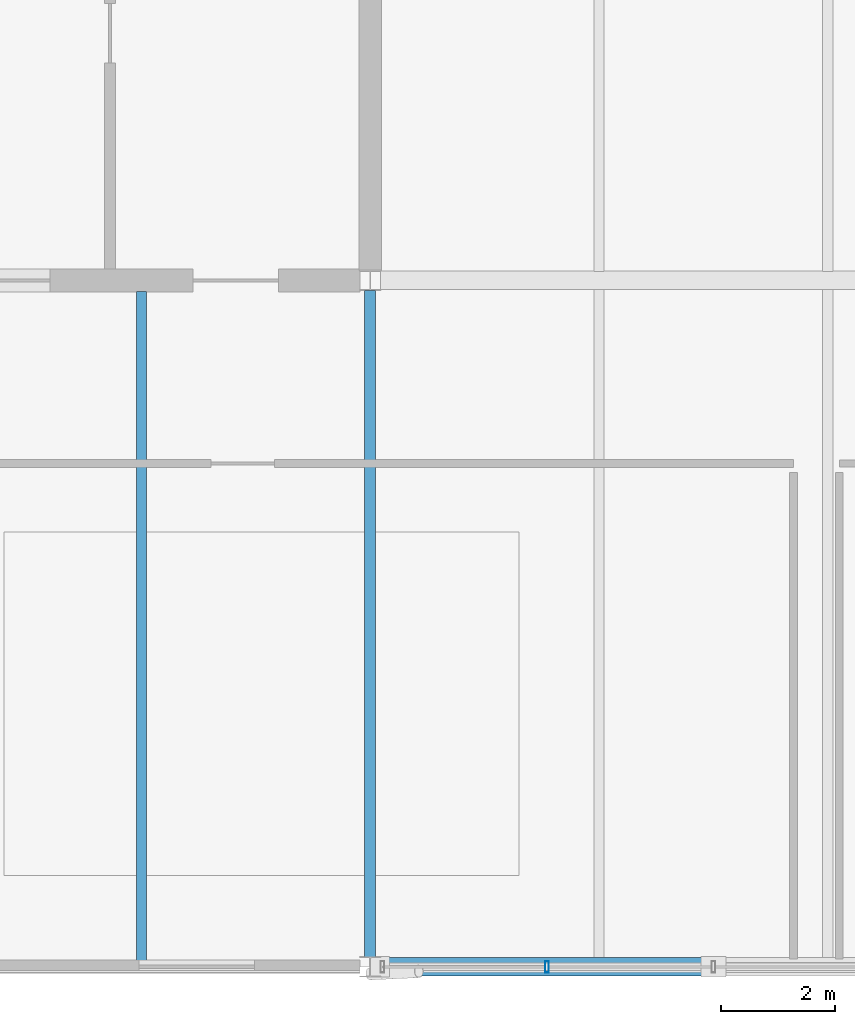
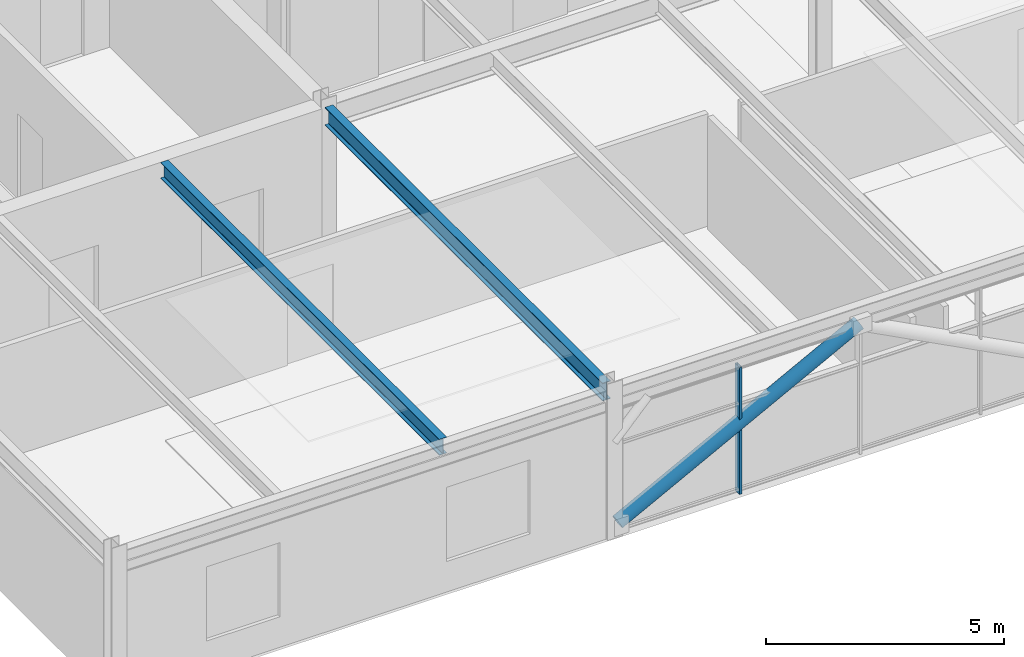
# One storey, part 4 of 23: 2 beams, 2 members, 1 element without a shape of its own.
"""IFC4 building model written with IfcOpenShell, lengths in metres."""

from ifc_helpers import new_model, si_unit, direction, frame, origin, origin_2d, place, context, subcontext, project, spatial, hollow_rectangle, hollow_circle, i_section, extrude, material, material_profile, profile_set, type_object, element, aggregate, save


model = new_model("IFC4")

# Units and contexts
model_context = context("Model", 3, precision=1e-05, world=origin(), true_north=direction((0.0, 1.0)))
body_context = subcontext(model_context, "Body", "Model", "MODEL_VIEW")
ifc_project = project(units=[si_unit("LENGTHUNIT", "METRE"), si_unit("AREAUNIT", "SQUARE_METRE"), si_unit("VOLUMEUNIT", "CUBIC_METRE"), si_unit("PLANEANGLEUNIT", "RADIAN"), si_unit("MASSUNIT", "GRAM", prefix="KILO")], contexts=[model_context])

# Site, building, storey
site_placement = place(None, origin())
site = spatial("IfcSite", under=ifc_project, at=site_placement, CompositionType="ELEMENT")
building_placement = place(site_placement, origin())
building = spatial("IfcBuilding", under=site, at=building_placement, Name="Girod Span Mobility Hub", CompositionType="ELEMENT")
storey_placement = place(building_placement, frame((0.0, 0.0, 65.60009765625)))
storey = spatial("IfcBuildingStorey", under=building, at=storey_placement, Name="L16", CompositionType="ELEMENT", Elevation=65.60009765625)

# Beams
ifc_material_1 = material(Name="Steel A992 Grade 50", Category="steel")
ifc_material_profile_1 = material_profile(ifc_material_1, i_section(OverallWidth=0.178955078125, OverallDepth=0.409912109375, WebThickness=0.0087890625, FlangeThickness=0.014404296875, FilletRadius=0.012939453125, at=origin_2d()), Name="W16X45")
ifc_profile_set_1 = profile_set([ifc_material_profile_1], Name="Steel A992 Grade 50")
beam_type_1 = type_object("IfcBeamType", Name="BM-STL-W16X45", PredefinedType="BEAM", material=ifc_profile_set_1)
beam_1_placement = place(storey_placement, frame((56.0, 45.10302734375, 3.5849609375), z_axis=(0.0, 1.0, 0.0), x_axis=(-1.0, 0.0, 0.0)))
element("IfcBeam", 1, at=beam_1_placement, inside=storey, type_object=beam_type_1, Name="Composite Floorbeam 5/D-2 L16", PredefinedType="BEAM", context=body_context, shape_type="SweptSolid", body=[
    extrude(i_section(OverallWidth=0.178955078125, OverallDepth=0.409912109375, WebThickness=0.0087890625, FlangeThickness=0.014404296875, FilletRadius=0.012939453125, at=origin_2d()), origin(), (0.0, 0.0, 1.0), 11.699951171875),
])
ifc_material_2 = material(Name="Steel A992 Grade 50", Category="steel")
ifc_material_profile_2 = material_profile(ifc_material_2, i_section(OverallWidth=0.19189453125, OverallDepth=0.462890625, WebThickness=0.010498046875, FlangeThickness=0.017578125, FilletRadius=0.013916015625, at=origin_2d()), Name="W18X60")
ifc_profile_set_2 = profile_set([ifc_material_profile_2], Name="Steel A992 Grade 50")
beam_type_2 = type_object("IfcBeamType", Name="BM-STL-W18X60", PredefinedType="BEAM", material=ifc_profile_set_2)
beam_2_placement = place(storey_placement, frame((60.0, 45.175048828125, 3.558349609375), z_axis=(0.0, 1.0, 0.0), x_axis=(-1.0, 0.0, 0.0)))
element("IfcBeam", 2, at=beam_2_placement, inside=storey, type_object=beam_type_2, Name="Tie Girder 6/D-E L16", PredefinedType="BEAM", context=body_context, shape_type="SweptSolid", body=[
    extrude(i_section(OverallWidth=0.19189453125, OverallDepth=0.462890625, WebThickness=0.010498046875, FlangeThickness=0.017578125, FilletRadius=0.013916015625, at=origin_2d()), origin(), (0.0, 0.0, 1.0), 11.64990234375),
])

# Curtain wall, member
ifc_material_3 = material(Name="Thermally Broken Anodised Aluminium", Category="aluminium")
curtain_wall_type = type_object("IfcCurtainWallType", Name="CW-1164X325", PredefinedType="USERDEFINED", material=ifc_material_3)
curtain_wall_placement = place(storey_placement, origin())
curtain_wall = element("IfcCurtainWall", 3, at=curtain_wall_placement, inside=storey, type_object=curtain_wall_type, Name="Unitised Curtain Wall CW-L16-S06 L16", ObjectType="UNITISED CURTAIN WALL", PredefinedType="USERDEFINED")
ifc_material_4 = material(Name="Thermally Broken Anodised Aluminium", Category="aluminium")
ifc_material_profile_3 = material_profile(ifc_material_4, hollow_rectangle(XDim=0.199951171875, YDim=0.06494140625, WallThickness=0.00390625, InnerFilletRadius=0.00390625, OuterFilletRadius=0.008056640625, at=origin_2d()), Name="CW-ML-65X200")
ifc_profile_set_3 = profile_set([ifc_material_profile_3], Name="Thermally Broken Anodised Aluminium")
member_type_1 = type_object("IfcMemberType", Name="CWM-ML-1", PredefinedType="MULLION", material=ifc_profile_set_3)
member_1_placement = place(storey_placement, frame((63.09130859375, 45.0, 0.0), z_axis=(0.0, 0.0, 1.0), x_axis=(0.0, 1.0, 0.0)))
member_1 = element("IfcMember", 4, at=member_1_placement, type_object=member_type_1, Name="Curtain Wall Mullion CW-L16-S06-M1", PredefinedType="MULLION", context=body_context, shape_type="SweptSolid", body=[
    extrude(hollow_rectangle(XDim=0.199951171875, YDim=0.06494140625, WallThickness=0.00390625, InnerFilletRadius=0.00390625, OuterFilletRadius=0.008056640625, at=origin_2d()), origin(), (0.0, 0.0, 1.0), 3.245849609375),
])
aggregate(curtain_wall, [member_1])

# Member
ifc_material_5 = material(Name="Steel HSS A500 Grade C", Category="steel")
ifc_material_profile_4 = material_profile(ifc_material_5, hollow_circle(Radius=0.162109375, WallThickness=0.01171875, at=origin_2d()), Name="HSS324X12.7")
ifc_profile_set_4 = profile_set([ifc_material_profile_4], Name="Steel HSS A500 Grade C")
member_type_2 = type_object("IfcMemberType", Name="MB-BR-HSS324", PredefinedType="BRACE", material=ifc_profile_set_4)
member_2_placement = place(storey_placement, frame((60.16455078125, 45.0, 0.25), z_axis=(0.88587868375, 0.0, 0.463916972827), x_axis=(0.0, 1.0, 0.0)))
element("IfcMember", 5, at=member_2_placement, inside=storey, type_object=member_type_2, Name="Upper Diagrid Brace 6/D-L L16", PredefinedType="BRACE", context=body_context, shape_type="SweptSolid", body=[
    extrude(hollow_circle(Radius=0.162109375, WallThickness=0.01171875, at=origin_2d()), origin(), (0.0, 0.0, 1.0), 6.587158203125),
])

save(model, "model.ifc")
